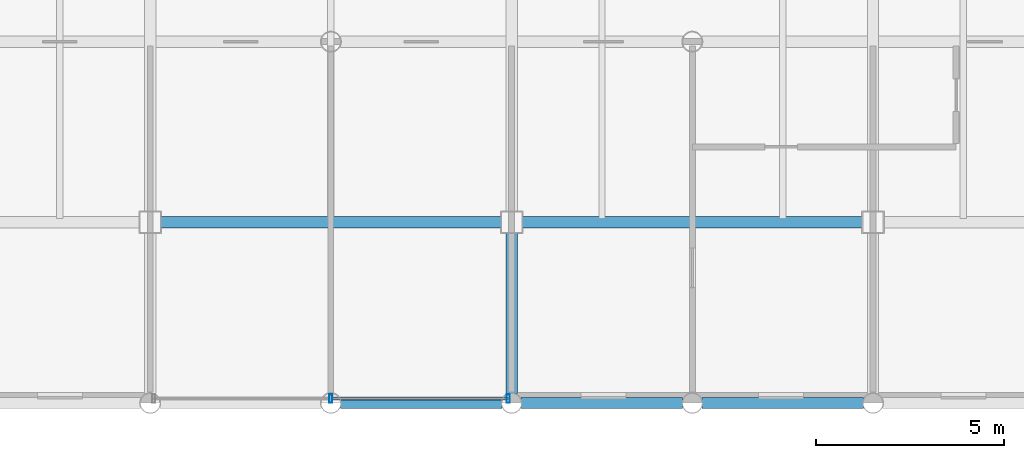
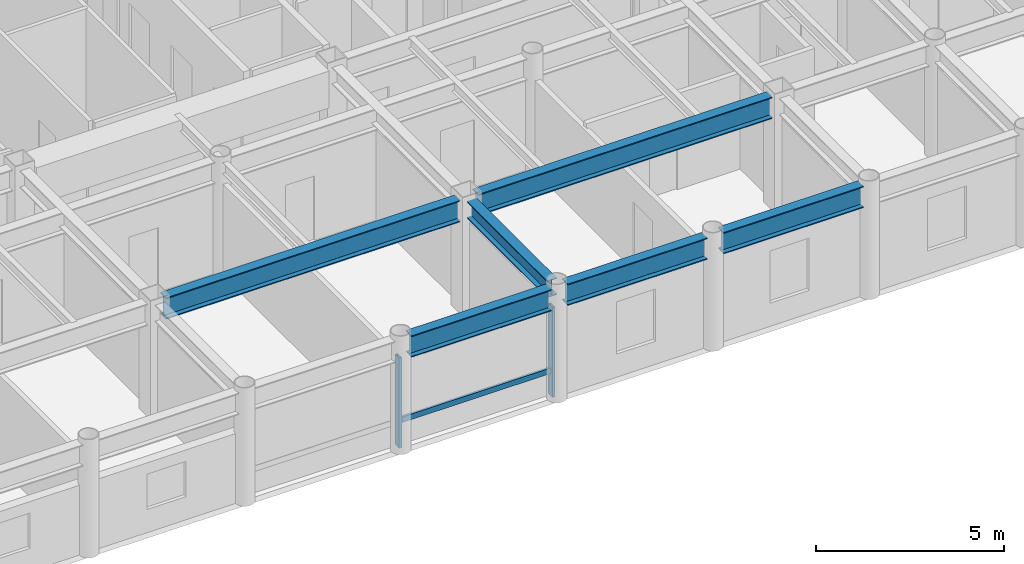
# One storey, part 8 of 22: 6 beams, 3 members, 1 element without a shape of its own.
"""IFC4 building model written with IfcOpenShell, lengths in metres."""

from ifc_helpers import new_model, si_unit, direction, frame, origin, origin_2d, place, context, subcontext, project, spatial, hollow_rectangle, i_section, extrude, material, layer, layer_set, material_profile, profile_set, type_object, element, aggregate, save


model = new_model("IFC4")

# Units and contexts
model_context = context("Model", 3, precision=1e-05, world=origin(), true_north=direction((0.0, 1.0)))
body_context = subcontext(model_context, "Body", "Model", "MODEL_VIEW")
ifc_project = project(units=[si_unit("LENGTHUNIT", "METRE"), si_unit("AREAUNIT", "SQUARE_METRE"), si_unit("VOLUMEUNIT", "CUBIC_METRE"), si_unit("PLANEANGLEUNIT", "RADIAN"), si_unit("MASSUNIT", "GRAM", prefix="KILO")], contexts=[model_context])

# Site, building, storey
site_placement = place(None, origin())
site = spatial("IfcSite", under=ifc_project, at=site_placement, CompositionType="ELEMENT")
building_placement = place(site_placement, origin())
building = spatial("IfcBuilding", under=site, at=building_placement, Name="Kallvorn Hotel Tower", CompositionType="ELEMENT")
storey_placement = place(building_placement, frame((0.0, 0.0, 253.10009765625)))
storey = spatial("IfcBuildingStorey", under=building, at=storey_placement, Name="L63", CompositionType="ELEMENT", Elevation=253.10009765625)

# Beams
ifc_material_1 = material(Name="Structural steel S355JR", Category="steel")
ifc_material_profile_1 = material_profile(ifc_material_1, i_section(OverallWidth=0.300048828125, OverallDepth=0.550048828125, WebThickness=0.014892578125, FlangeThickness=0.029052734375, at=origin_2d()), Name="HE 550 B")
ifc_profile_set_1 = profile_set([ifc_material_profile_1], Name="Structural steel S355JR")
beam_type_1 = type_object("IfcBeamType", Name="BM_HE550B", PredefinedType="SPANDREL", material=ifc_profile_set_1)
beam_1_placement = place(storey_placement, frame((4.800048828125, -18.945556640625, 3.39501953125), z_axis=(0.0, 1.0, 0.0), x_axis=(-1.0, 0.0, 0.0)))
element("IfcBeam", 1, at=beam_1_placement, inside=storey, type_object=beam_type_1, Name="L64 Primary Y-Girder 114", PredefinedType="SPANDREL", context=body_context, shape_type="SweptSolid", body=[
    extrude(i_section(OverallWidth=0.300048828125, OverallDepth=0.550048828125, WebThickness=0.014892578125, FlangeThickness=0.029052734375, at=origin_2d()), origin(), (0.0, 0.0, 1.0), 4.2705078125),
])
ifc_material_2 = material(Name="Structural steel S355JR", Category="steel")
ifc_material_profile_2 = material_profile(ifc_material_2, i_section(OverallWidth=0.300048828125, OverallDepth=0.699951171875, WebThickness=0.01708984375, FlangeThickness=0.031982421875, at=origin_2d()), Name="HE 700 B")
ifc_profile_set_2 = profile_set([ifc_material_profile_2], Name="Structural steel S355JR")
beam_type_2 = type_object("IfcBeamType", Name="BM_HE700B", PredefinedType="BEAM", material=ifc_profile_set_2)
for number, where, z_axis, x_axis, name in (
    (2, (0.25439453125, -19.199951171875, 3.31982421875), (1.0, 0.0, 0.0), (0.0, 1.0, 0.0), "L64 Primary X-Girder 07"),
    (3, (5.054443359375, -19.199951171875, 3.31982421875), (1.0, 0.0, 0.0), (0.0, 1.0, 0.0), "L64 Primary X-Girder 08"),
    (4, (9.8544921875, -19.199951171875, 3.31982421875), (1.0, 0.0, 0.0), (0.0, 1.0, 0.0), "L64 Primary X-Girder 09"),
):
    element("IfcBeam", number, at=place(storey_placement, frame(where, z_axis=z_axis, x_axis=x_axis)), inside=storey, type_object=beam_type_2, Name=name, PredefinedType="BEAM", context=body_context, shape_type="SweptSolid", body=[
        extrude(i_section(OverallWidth=0.300048828125, OverallDepth=0.699951171875, WebThickness=0.01708984375, FlangeThickness=0.031982421875, at=origin_2d()), origin(), (0.0, 0.0, 1.0), 4.291015625),
    ])
beam_2_placement = place(storey_placement, frame((-4.52490234375, -14.39990234375, 3.31982421875), z_axis=(1.0, 0.0, 0.0), x_axis=(0.0, 1.0, 0.0)))
element("IfcBeam", 5, at=beam_2_placement, inside=storey, type_object=beam_type_2, Name="L64 Primary X-Girder 18", PredefinedType="BEAM", context=body_context, shape_type="SweptSolid", body=[
    extrude(i_section(OverallWidth=0.300048828125, OverallDepth=0.699951171875, WebThickness=0.01708984375, FlangeThickness=0.031982421875, at=origin_2d()), origin(), (0.0, 0.0, 1.0), 9.0498046875),
])
beam_3_placement = place(storey_placement, frame((5.074951171875, -14.39990234375, 3.31982421875), z_axis=(1.0, 0.0, 0.0), x_axis=(0.0, 1.0, 0.0)))
element("IfcBeam", 6, at=beam_3_placement, inside=storey, type_object=beam_type_2, Name="L64 Primary X-Girder 19", PredefinedType="BEAM", context=body_context, shape_type="SweptSolid", body=[
    extrude(i_section(OverallWidth=0.300048828125, OverallDepth=0.699951171875, WebThickness=0.01708984375, FlangeThickness=0.031982421875, at=origin_2d()), origin(), (0.0, 0.0, 1.0), 9.050048828125),
])

# Curtain wall, members
ifc_material_3 = material(Name="Thermally broken black-anodised aluminium AA 6063-T6", Category="aluminium")
ifc_layer = layer(ifc_material_3, 0.22998046875)
ifc_layer_set = layer_set([ifc_layer], Name="CW_SYS_5_HOTEL_HIGH")
curtain_wall_type = type_object("IfcCurtainWallType", Name="CW_SYS_5_HOTEL_HIGH", PredefinedType="USERDEFINED", material=ifc_layer_set)
curtain_wall_placement = place(storey_placement, origin())
curtain_wall = element("IfcCurtainWall", 7, at=curtain_wall_placement, inside=storey, type_object=curtain_wall_type, Name="L63 Dark-Glass Curtain Wall CW-L63-SC", ObjectType="UNITISED CURTAIN WALL", PredefinedType="USERDEFINED")
ifc_material_4 = material(Name="Thermally broken black-anodised aluminium AA 6063-T6", Category="aluminium")
ifc_material_profile_3 = material_profile(ifc_material_4, hollow_rectangle(XDim=0.080078125, YDim=0.219970703125, WallThickness=0.0048828125, at=origin_2d()), Name="MUL 220x80")
ifc_profile_set_3 = profile_set([ifc_material_profile_3], Name="Thermally broken black-anodised aluminium AA 6063-T6")
member_type_1 = type_object("IfcMemberType", Name="CW_MULLION_220x80", PredefinedType="MULLION", material=ifc_profile_set_3)
member_1_placement = place(storey_placement, frame((0.0, -19.080078125, 0.02001953125), z_axis=(0.0, 0.0, 1.0), x_axis=(1.0, 0.0, 0.0)))
member_1 = element("IfcMember", 8, at=member_1_placement, type_object=member_type_1, Name="CW-L63-SC Mullion 01", PredefinedType="MULLION", context=body_context, shape_type="SweptSolid", body=[
    extrude(hollow_rectangle(XDim=0.080078125, YDim=0.219970703125, WallThickness=0.0048828125, at=origin_2d()), origin(), (0.0, 0.0, 1.0), 2.929931640625),
])
member_2_placement = place(storey_placement, frame((4.7099609375, -19.080078125, 0.02001953125), z_axis=(0.0, 0.0, 1.0), x_axis=(1.0, 0.0, 0.0)))
member_2 = element("IfcMember", 9, at=member_2_placement, type_object=member_type_1, Name="CW-L63-SC Mullion 02", PredefinedType="MULLION", context=body_context, shape_type="SweptSolid", body=[
    extrude(hollow_rectangle(XDim=0.080078125, YDim=0.219970703125, WallThickness=0.0048828125, at=origin_2d()), origin(), (0.0, 0.0, 1.0), 2.929931640625),
])
ifc_material_5 = material(Name="Thermally broken black-anodised aluminium AA 6063-T6", Category="aluminium")
ifc_material_profile_4 = material_profile(ifc_material_5, hollow_rectangle(XDim=0.070068359375, YDim=0.179931640625, WallThickness=0.00390625, at=origin_2d()), Name="TRN 180x70")
ifc_profile_set_4 = profile_set([ifc_material_profile_4], Name="Thermally broken black-anodised aluminium AA 6063-T6")
member_type_2 = type_object("IfcMemberType", Name="CW_TRANSOM_180x70", PredefinedType="USERDEFINED", material=ifc_profile_set_4)
member_3_placement = place(storey_placement, frame((0.0400390625, -19.080078125, 0.849853515625), z_axis=(1.0, 0.0, 0.0), x_axis=(0.0, 1.0, 0.0)))
member_3 = element("IfcMember", 10, at=member_3_placement, type_object=member_type_2, Name="CW-L63-SC Transom 01M", ObjectType="TRANSOM", PredefinedType="USERDEFINED", context=body_context, shape_type="SweptSolid", body=[
    extrude(hollow_rectangle(XDim=0.070068359375, YDim=0.179931640625, WallThickness=0.00390625, at=origin_2d()), origin(), (0.0, 0.0, 1.0), 4.669921875),
])
aggregate(curtain_wall, [member_1, member_2, member_3])

save(model, "model.ifc")
